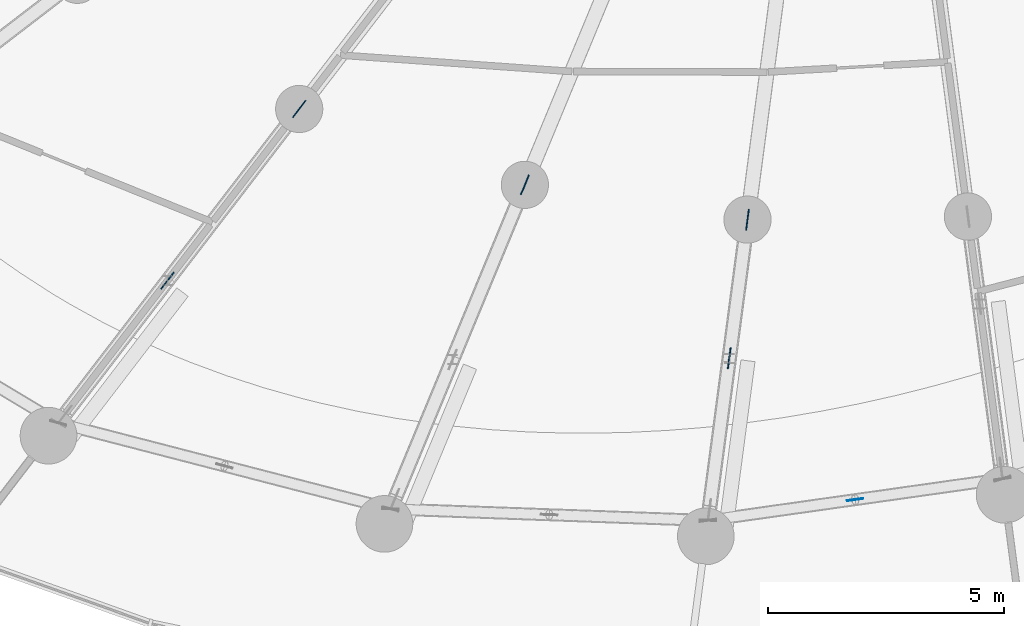
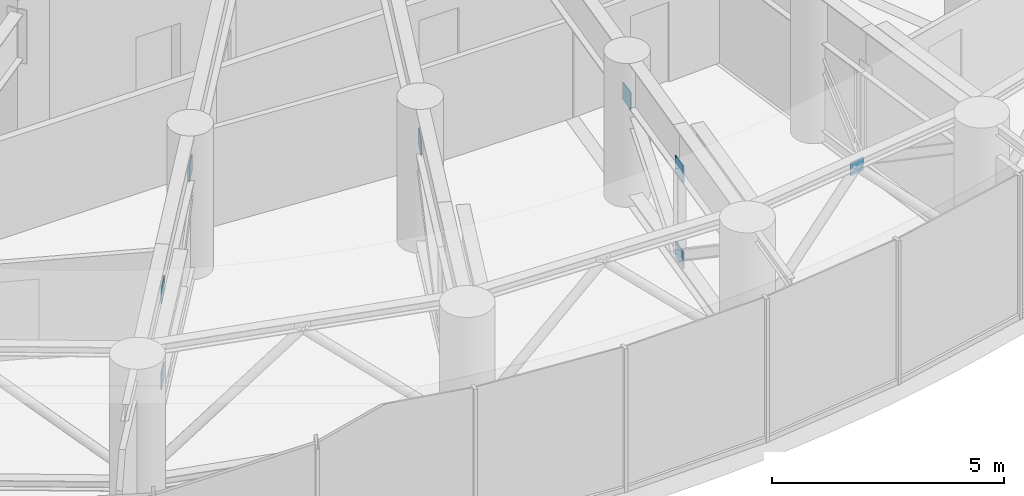
# One storey, part 22 of 33: 8 discrete accessories.
"""IFC4 building model written with IfcOpenShell, lengths in metres."""

import ifcopenshell
import ifcopenshell.guid

model = None  # the IFC model being written
_history = None  # IfcOwnerHistory: only IFC2X3 demands one
_inside = {}  # id of a spatial element -> (the spatial element, [elements in it])
_under = {}  # id of a project, library or spatial element -> (it, [spatial elements below it])
_declared = {}  # id of a project -> (the project, [libraries it declares])
_typed = {}  # id of a type object -> (the type object, [elements of that type])
_made_of = {}  # id of a material, layer set ... -> (it, [elements and type objects made of it])


def new_model(schema):
    """Start an empty IFC model of exactly this schema.

    Asked for "IFC4X3", IfcOpenShell would pick the latest addendum, in which some entities
    have other attributes; the version numbers below select the first issue.
    IFC2X3 requires an IfcOwnerHistory on every rooted entity: one is made here for all.
    """
    global model, _history
    if schema == "IFC4X3":
        model = ifcopenshell.file(schema_version=(4, 3, 0, 0))
    else:
        model = ifcopenshell.file(schema=schema)
    _inside.clear()
    _under.clear()
    _declared.clear()
    _typed.clear()
    _made_of.clear()
    _history = None
    if model.schema == "IFC2X3":
        org = make("IfcOrganization", Name="unknown")
        user = make(
            "IfcPersonAndOrganization",
            ThePerson=make("IfcPerson", FamilyName="unknown"),
            TheOrganization=org,
        )
        app = make(
            "IfcApplication",
            ApplicationDeveloper=org,
            Version="unknown",
            ApplicationFullName="unknown",
            ApplicationIdentifier="unknown",
        )
        _history = make(
            "IfcOwnerHistory",
            OwningUser=user,
            OwningApplication=app,
            ChangeAction="ADDED",
            CreationDate=0,
        )
    return model


def make(cls, **values):
    """One entity of the class cls with the attributes given. An attribute that is None is left unset."""
    return model.create_entity(
        cls, **{name: value for name, value in values.items() if value is not None}
    )


def rooted(cls, **values):
    """An entity with a GlobalId (a new one), such as an element, a storey or a relation."""
    return make(cls, GlobalId=ifcopenshell.guid.new(), OwnerHistory=_history, **values)


def si_unit(unit_type, name, prefix=None):
    """IfcSIUnit, for example si_unit("LENGTHUNIT", "METRE", prefix="MILLI")."""
    return make("IfcSIUnit", UnitType=unit_type, Prefix=prefix, Name=name)


def assignment(units):
    """IfcUnitAssignment: the units of a project."""
    return None if units is None else make("IfcUnitAssignment", Units=units)


def point(xyz):
    """IfcCartesianPoint."""
    return None if xyz is None else make("IfcCartesianPoint", Coordinates=xyz)


def direction(xyz):
    """IfcDirection."""
    return None if xyz is None else make("IfcDirection", DirectionRatios=xyz)


def frame(location, z_axis=None, x_axis=None):
    """IfcAxis2Placement3D, a coordinate frame: its origin and axes. An axis left out is left unset."""
    return make(
        "IfcAxis2Placement3D",
        Location=point(location),
        Axis=direction(z_axis),
        RefDirection=direction(x_axis),
    )


def frame_2d(location, x_axis=None):
    """IfcAxis2Placement2D, a coordinate frame in the plane: its origin and x axis."""
    return make(
        "IfcAxis2Placement2D", Location=point(location), RefDirection=direction(x_axis)
    )


def origin():
    """The frame at (0, 0, 0) with its axes left unset."""
    return frame((0.0, 0.0, 0.0))


def origin_2d():
    """The frame at (0, 0) in the plane with its x axis left unset."""
    return frame_2d((0.0, 0.0))


def place(relative_to, where):
    """IfcLocalPlacement: puts the frame where relative to a parent placement (None: the world)."""
    return make(
        "IfcLocalPlacement", PlacementRelTo=relative_to, RelativePlacement=where
    )


def context(
    kind, dimensions, precision=None, world=None, true_north=None, identifier=None
):
    """IfcGeometricRepresentationContext, for example the 3D "Model" context."""
    return make(
        "IfcGeometricRepresentationContext",
        ContextIdentifier=identifier,
        ContextType=kind,
        CoordinateSpaceDimension=dimensions,
        Precision=precision,
        WorldCoordinateSystem=world,
        TrueNorth=true_north,
    )


def subcontext(parent, identifier, kind, view, scale=None):
    """IfcGeometricRepresentationSubContext, for example "Body" below "Model"."""
    return make(
        "IfcGeometricRepresentationSubContext",
        ContextIdentifier=identifier,
        ContextType=kind,
        ParentContext=parent,
        TargetScale=scale,
        TargetView=view,
    )


def project(units=None, contexts=None):
    """IfcProject with its units and contexts."""
    return rooted(
        "IfcProject",
        Name="project",
        RepresentationContexts=contexts,
        UnitsInContext=assignment(units),
    )


def spatial(cls, under=None, at=None, **own):
    """A site, building, storey or space (cls), placed at a placement, below another one or the project."""
    s = rooted(cls, ObjectPlacement=at, **own)
    if under is not None:
        _under.setdefault(under.id(), (under, []))[1].append(s)
    return s


def profile(cls, at=None, kind="AREA", **sizes):
    """A parametric profile (cls). Its sizes go by their IFC names, for example OverallWidth=200.0."""
    return make(cls, ProfileType=kind, Position=at, **sizes)


def rectangle(**sizes):
    """IfcRectangleProfileDef."""
    return profile("IfcRectangleProfileDef", **sizes)


def extrude(swept, where, along, depth):
    """IfcExtrudedAreaSolid: the profile swept, set in the frame where, extruded along a direction by depth."""
    return make(
        "IfcExtrudedAreaSolid",
        SweptArea=swept,
        Position=where,
        ExtrudedDirection=direction(along),
        Depth=depth,
    )


def shape(context_of_items, identifier, shape_type, items):
    """IfcShapeRepresentation: the items that make up one representation, for example the "Body"."""
    return make(
        "IfcShapeRepresentation",
        ContextOfItems=context_of_items,
        RepresentationIdentifier=identifier,
        RepresentationType=shape_type,
        Items=items,
    )


def source(mapping_origin, context_of_items, identifier, shape_type, items):
    """IfcRepresentationMap: a shape defined once, which mapped items show again and again."""
    return make(
        "IfcRepresentationMap",
        MappingOrigin=mapping_origin,
        MappedRepresentation=shape(context_of_items, identifier, shape_type, items),
    )


def transform(
    local_origin,
    x_axis=None,
    y_axis=None,
    z_axis=None,
    scale=None,
    scale2=None,
    scale3=None,
    uniform=True,
):
    """IfcCartesianTransformationOperator3D, or its non-uniform kind. x_axis, y_axis, z_axis: its Axis1, 2, 3."""
    if uniform:
        return make(
            "IfcCartesianTransformationOperator3D",
            Axis1=direction(x_axis),
            Axis2=direction(y_axis),
            LocalOrigin=point(local_origin),
            Scale=scale,
            Axis3=direction(z_axis),
        )
    return make(
        "IfcCartesianTransformationOperator3DnonUniform",
        Axis1=direction(x_axis),
        Axis2=direction(y_axis),
        LocalOrigin=point(local_origin),
        Scale=scale,
        Axis3=direction(z_axis),
        Scale2=scale2,
        Scale3=scale3,
    )


def mapped(mapping_source, mapping_target):
    """IfcMappedItem: shows the shape of a source again, moved by a transform."""
    return make(
        "IfcMappedItem", MappingSource=mapping_source, MappingTarget=mapping_target
    )


def material(Name=None, Category=None):
    """IfcMaterial."""
    return make("IfcMaterial", Name=Name, Category=Category)


def layer(
    of_material, thickness, ventilated=None, Name=None, Category=None, Priority=None
):
    """IfcMaterialLayer: one layer of a wall or slab, of a material (None: an air gap)."""
    return make(
        "IfcMaterialLayer",
        Material=of_material,
        LayerThickness=thickness,
        IsVentilated=ventilated,
        Name=Name,
        Category=Category,
        Priority=Priority,
    )


def layer_set(layers, Name=None):
    """IfcMaterialLayerSet."""
    return make("IfcMaterialLayerSet", MaterialLayers=layers, LayerSetName=Name)


def made_of(thing, what):
    """Note that an element or type object is made of a material, layer set ...; save() writes the relation."""
    if what is not None:
        _made_of.setdefault(what.id(), (what, []))[1].append(thing)
    return thing


def type_object(cls, material=None, **own):
    """A type object (cls), such as IfcWallType, which elements share."""
    return made_of(rooted(cls, **own), material)


def element(
    cls,
    number,
    at=None,
    inside=None,
    cuts=None,
    type_object=None,
    material=None,
    context=None,
    identifier="Body",
    shape_type=None,
    held_by="IfcProductDefinitionShape",
    body=None,
    shapes=None,
    **own,
):
    """One element of the class cls, such as IfcWall. Its Tag is "e" and its number.

    at: its placement. inside: the storey or other place that contains it. cuts: it is an
    opening in that element (IfcRelVoidsElement). A single representation is given by context,
    identifier, shape_type and body (its items); several are given by shapes. held_by: the class
    of the entity that holds the representations. save() writes the other relations.
    """
    e = rooted(cls, Tag="e%d" % number, ObjectPlacement=at, **own)
    if body is not None:
        shapes = [shape(context, identifier, shape_type, body)]
    if shapes is not None:
        e.Representation = make(held_by, Representations=shapes)
    if inside is not None:
        _inside.setdefault(inside.id(), (inside, []))[1].append(e)
    if cuts is not None:
        rooted(
            "IfcRelVoidsElement", RelatingBuildingElement=cuts, RelatedOpeningElement=e
        )
    if type_object is not None:
        _typed.setdefault(type_object.id(), (type_object, []))[1].append(e)
    return made_of(e, material)


def aggregate(whole, parts):
    """IfcRelAggregates: a whole, such as a stair, and the parts it consists of."""
    return rooted("IfcRelAggregates", RelatingObject=whole, RelatedObjects=parts)


def save(model, path):
    """Write the relations noted so far, then the file.

    IfcRelAggregates (storeys below a building ...), IfcRelContainedInSpatialStructure (elements
    in a storey), IfcRelDefinesByType, IfcRelAssociatesMaterial and IfcRelDeclares: one each for
    every whole, place, type object, material and project.
    """
    for whole, parts in _under.values():
        aggregate(whole, parts)
    for where, things in _inside.values():
        rooted(
            "IfcRelContainedInSpatialStructure",
            RelatedElements=things,
            RelatingStructure=where,
        )
    for kind, things in _typed.values():
        rooted("IfcRelDefinesByType", RelatedObjects=things, RelatingType=kind)
    for what, things in _made_of.values():
        rooted("IfcRelAssociatesMaterial", RelatedObjects=things, RelatingMaterial=what)
    for by, libraries in _declared.values():
        rooted("IfcRelDeclares", RelatingContext=by, RelatedDefinitions=libraries)
    model.write(path)


model = new_model("IFC4")

# Units and contexts
model_context = context("Model", 3, precision=1e-05, world=origin(), true_north=direction((0.0, 1.0)))
body_context = subcontext(model_context, "Body", "Model", "MODEL_VIEW")
ifc_project = project(units=[si_unit("LENGTHUNIT", "METRE"), si_unit("AREAUNIT", "SQUARE_METRE"), si_unit("VOLUMEUNIT", "CUBIC_METRE"), si_unit("PLANEANGLEUNIT", "RADIAN"), si_unit("MASSUNIT", "GRAM", prefix="KILO")], contexts=[model_context])

# Site, building, storey
site_placement = place(None, origin())
site = spatial("IfcSite", under=ifc_project, at=site_placement, CompositionType="ELEMENT")
building_placement = place(site_placement, origin())
building = spatial("IfcBuilding", under=site, at=building_placement, Name="Spindrift Exchange Tower", CompositionType="ELEMENT")
storey_placement = place(building_placement, frame((0.0, 0.0, 129.0)))
storey = spatial("IfcBuildingStorey", under=building, at=storey_placement, Name="L30", CompositionType="ELEMENT", Elevation=129.0)

# Discrete accessories
ifc_material = material(Name="Steel Grade 350", Category="steel")
ifc_layer_1 = layer(ifc_material, 0.02490234375)
ifc_layer_set_1 = layer_set([ifc_layer_1], Name="Gusset plate 450x450x25 Steel Grade 350")
discrete_accessory_type_1 = type_object("IfcDiscreteAccessoryType", Name="Gusset plate 450x450x25 Steel Grade 350", PredefinedType="USERDEFINED", material=ifc_layer_set_1)
shared_shape_1 = source(origin(), body_context, "Body", "SweptSolid", [
    extrude(rectangle(XDim=0.449951171875, YDim=0.02490234375, at=origin_2d()), origin(), (0.0, 0.0, 1.0), 0.449951171875),
])
for number, where, z_axis, x_axis, name in (
    (1, (40.164794921875, 32.576171875, 2.35498046875), (0.0, 0.0, 1.0), (-0.608765582989, -0.793350152813, 0.0), "L30 gusset plate GP1 16"),
    (2, (37.375, 28.9404296875, 0.09619140625), (0.0, 0.0, 1.0), (-0.608765582989, -0.793350152813, 0.0), "L30 gusset plate GP1 16"),
    (3, (37.375, 28.9404296875, 2.35498046875), (0.0, 0.0, 1.0), (-0.608761429009, -0.793353340291, 0.0), "L30 gusset plate GP1 16"),
    (4, (44.9453125, 30.96875, 2.35498046875), (0.0, 0.0, 1.0), (-0.382678594938, -0.923881536224, 0.0), "L30 gusset plate GP1 17"),
    (5, (49.660888671875, 30.232666015625, 2.35498046875), (0.0, 0.0, 1.0), (-0.130527922618, -0.991444633561, 0.0), "L30 gusset plate GP1 18"),
    (6, (49.274169921875, 27.294677734375, 0.09619140625), (0.0, 0.0, 1.0), (-0.130527922618, -0.991444633561, 0.0), "L30 gusset plate GP1 18"),
    (7, (49.274169921875, 27.294677734375, 2.35498046875), (0.0, 0.0, 1.0), (-0.13052619222, -0.991444861374, 0.0), "L30 gusset plate GP1 18"),
):
    element("IfcDiscreteAccessory", number, at=place(storey_placement, frame(where, z_axis=z_axis, x_axis=x_axis)), inside=storey, type_object=discrete_accessory_type_1, Name=name, ObjectType="Gusset plate", PredefinedType="USERDEFINED", context=body_context, shape_type="MappedRepresentation", body=[
        mapped(shared_shape_1, transform((0.0, 0.0, 0.0), scale=1.0)),
    ])
ifc_layer_2 = layer(ifc_material, 0.02001953125)
ifc_layer_set_2 = layer_set([ifc_layer_2], Name="Gusset plate 350x350x20 Steel Grade 350")
discrete_accessory_type_2 = type_object("IfcDiscreteAccessoryType", Name="Gusset plate 350x350x20 Steel Grade 350", PredefinedType="USERDEFINED", material=ifc_layer_set_2)
shared_shape_2 = source(origin(), body_context, "Body", "SweptSolid", [
    extrude(rectangle(XDim=0.35009765625, YDim=0.02001953125, at=origin_2d()), origin(), (0.0, 0.0, 1.0), 0.35009765625),
])
discrete_accessory_placement = place(storey_placement, frame((51.94189453125, 24.301025390625, 3.350830078125), z_axis=(0.0, 0.0, 1.0), x_axis=(0.990171154486, 0.139860948171, 0.0)))
element("IfcDiscreteAccessory", 8, at=discrete_accessory_placement, inside=storey, type_object=discrete_accessory_type_2, Name="L30 gusset plate GP2 18", ObjectType="Gusset plate", PredefinedType="USERDEFINED", context=body_context, shape_type="MappedRepresentation", body=[
    mapped(shared_shape_2, transform((0.0, 0.0, 0.0), scale=1.0)),
])

save(model, "model.ifc")
